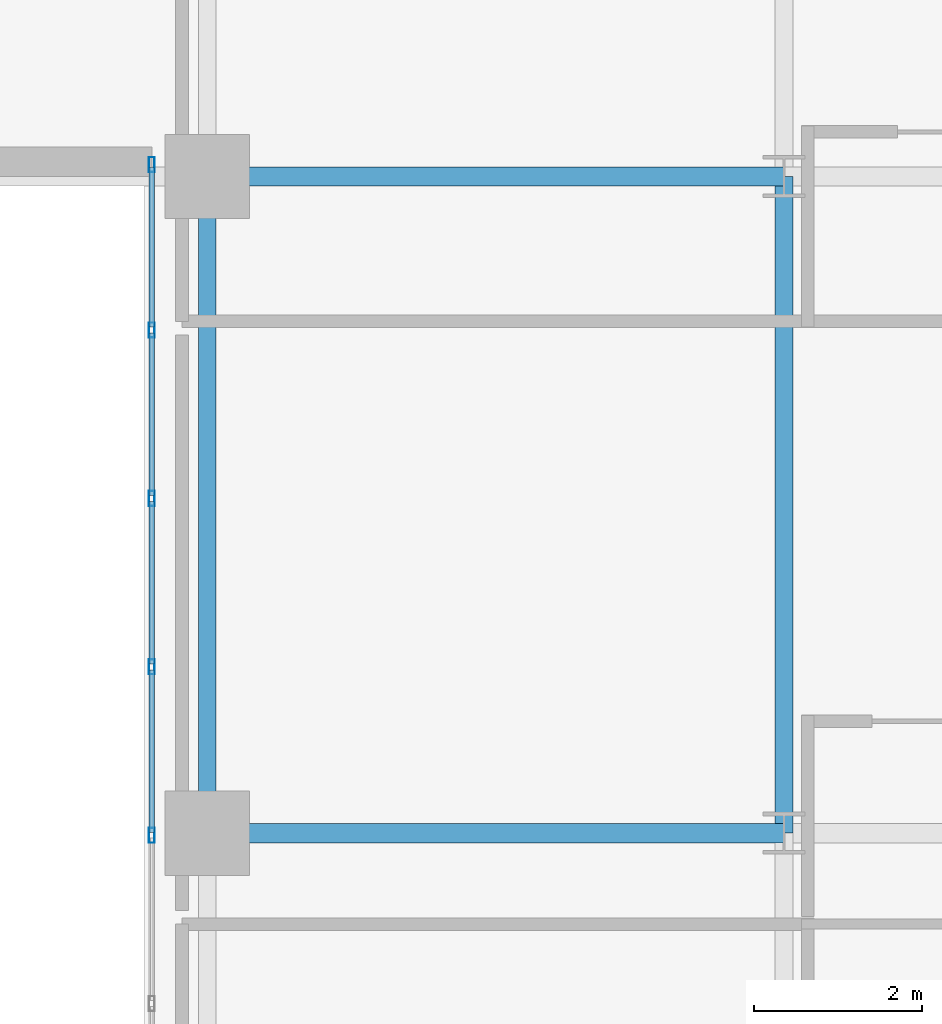
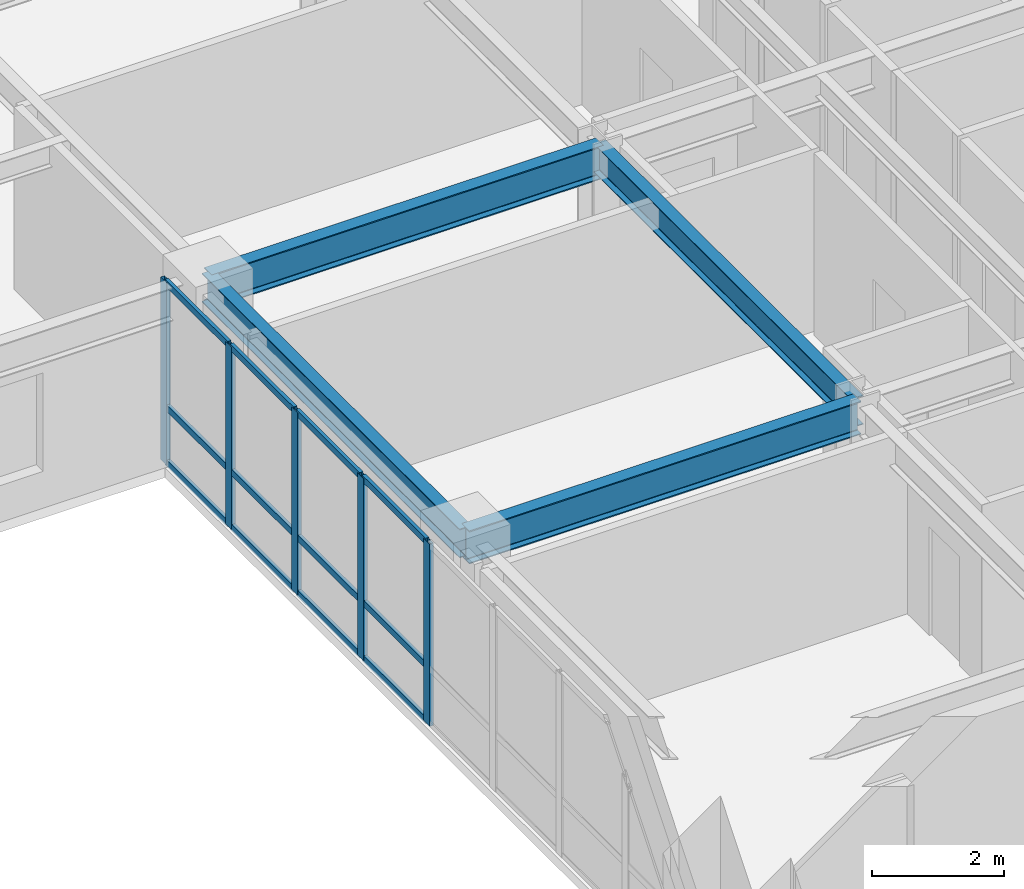
# One storey, part 7 of 17: 17 members, 4 beams, 1 element without a shape of its own.
"""IFC4 building model written with IfcOpenShell, lengths in metres."""

from ifc_helpers import new_model, si_unit, direction, frame, origin, origin_2d, place, context, subcontext, project, spatial, hollow_rectangle, i_section, extrude, source, transform, mapped, material, layer, layer_set, material_profile, profile_set, type_object, type_shapes, element, aggregate, save


model = new_model("IFC4")

# Units and contexts
model_context = context("Model", 3, precision=1e-05, world=origin(), true_north=direction((0.0, 1.0)))
body_context = subcontext(model_context, "Body", "Model", "MODEL_VIEW")
ifc_project = project(units=[si_unit("LENGTHUNIT", "METRE"), si_unit("AREAUNIT", "SQUARE_METRE"), si_unit("VOLUMEUNIT", "CUBIC_METRE"), si_unit("PLANEANGLEUNIT", "RADIAN"), si_unit("MASSUNIT", "GRAM", prefix="KILO")], contexts=[model_context])

# Site, building, storey
site_placement = place(None, origin())
site = spatial("IfcSite", under=ifc_project, at=site_placement, CompositionType="ELEMENT")
building_placement = place(site_placement, origin())
building = spatial("IfcBuilding", under=site, at=building_placement, Name="Tolvann Quenvar Hotel", CompositionType="ELEMENT")
storey_placement = place(building_placement, frame((0.0, 0.0, 35.550048828125)))
storey = spatial("IfcBuildingStorey", under=building, at=storey_placement, Name="L07", CompositionType="ELEMENT", Elevation=35.550048828125)

# Beams
ifc_material_1 = material(Name="Steel Grade 350", Category="steel")
ifc_material_profile_1 = material_profile(ifc_material_1, i_section(OverallWidth=0.22900390625, OverallDepth=0.612060546875, WebThickness=0.011962890625, FlangeThickness=0.01953125, FilletRadius=0.013916015625, at=origin_2d()), Name="610UB125")
ifc_profile_set_1 = profile_set([ifc_material_profile_1], Name="Steel Grade 350")
beam_type_1 = type_object("IfcBeamType", Name="BM_GIRD_610UB125", PredefinedType="BEAM", material=ifc_profile_set_1)
shared_shape_1 = source(origin(), body_context, "Body", "SweptSolid", [
    extrude(i_section(OverallWidth=0.22900390625, OverallDepth=0.612060546875, WebThickness=0.011962890625, FlangeThickness=0.01953125, FilletRadius=0.013916015625, at=origin_2d()), origin(), (0.0, 0.0, 1.0), 6.85009765625),
])
type_shapes(beam_type_1, [shared_shape_1])
for number, where, z_axis, x_axis, name in (
    (1, (34.949951171875, 8.199951171875, 3.06396484375), (1.0, 0.0, 0.0), (0.0, 1.0, 0.0), "BM-L07-EW-3-F3-H3"),
    (2, (34.949951171875, 16.0, 3.06396484375), (1.0, 0.0, 0.0), (0.0, 1.0, 0.0), "BM-L07-EW-4-F4-H4"),
):
    element("IfcBeam", number, at=place(storey_placement, frame(where, z_axis=z_axis, x_axis=x_axis)), inside=storey, type_object=beam_type_1, Name=name, PredefinedType="BEAM", context=body_context, shape_type="MappedRepresentation", body=[
        mapped(shared_shape_1, transform((0.0, 0.0, 0.0), x_axis=(1.0, 0.0, 0.0), y_axis=(0.0, 1.0, 0.0), z_axis=(0.0, 0.0, 1.0), scale=1.0)),
    ])
ifc_material_profile_2 = material_profile(ifc_material_1, i_section(OverallWidth=0.208984375, OverallDepth=0.532958984375, WebThickness=0.01025390625, FlangeThickness=0.015625, FilletRadius=0.013916015625, at=origin_2d()), Name="530UB92")
ifc_profile_set_2 = profile_set([ifc_material_profile_2], Name="Steel Grade 350")
beam_type_2 = type_object("IfcBeamType", Name="BM_GIRD_530UB92", PredefinedType="BEAM", material=ifc_profile_set_2)
shared_shape_2 = source(origin(), body_context, "Body", "SweptSolid", [
    extrude(i_section(OverallWidth=0.208984375, OverallDepth=0.532958984375, WebThickness=0.01025390625, FlangeThickness=0.015625, FilletRadius=0.013916015625, at=origin_2d()), origin(), (0.0, 0.0, 1.0), 7.800048828125),
])
type_shapes(beam_type_2, [shared_shape_2])
for number, where, z_axis, x_axis, name in (
    (3, (34.949951171875, 8.199951171875, 3.103515625), (0.0, 1.0, 0.0), (-1.0, 0.0, 0.0), "BM-L07-NS-F3-F4"),
    (4, (41.800048828125, 8.199951171875, 3.103515625), (0.0, 1.0, 0.0), (-1.0, 0.0, 0.0), "BM-L07-NS-H3-H4"),
):
    element("IfcBeam", number, at=place(storey_placement, frame(where, z_axis=z_axis, x_axis=x_axis)), inside=storey, type_object=beam_type_2, Name=name, PredefinedType="BEAM", context=body_context, shape_type="MappedRepresentation", body=[
        mapped(shared_shape_2, transform((0.0, 0.0, 0.0), x_axis=(1.0, 0.0, 0.0), y_axis=(0.0, 1.0, 0.0), z_axis=(0.0, 0.0, 1.0), scale=1.0)),
    ])

# Curtain wall, members
ifc_material_2 = material(Name="Thermally broken anodised architectural aluminium 6063-T6 and laminated low-E glass", Category="aluminium")
ifc_layer = layer(ifc_material_2, 0.179931640625)
ifc_layer_set = layer_set([ifc_layer], Name="Thermally broken anodised architectural aluminium 6063-T6 and laminated low-E glass")
curtain_wall_type = type_object("IfcCurtainWallType", Name="CW_SYS_SLOT_03", PredefinedType="USERDEFINED", material=ifc_layer_set)
curtain_wall_placement = place(storey_placement, origin())
curtain_wall = element("IfcCurtainWall", 5, at=curtain_wall_placement, inside=storey, type_object=curtain_wall_type, Name="Curtain Wall CW-SLOT-03 (CWR-L07-E07)", ObjectType="UNITISED CURTAIN WALL", PredefinedType="USERDEFINED")
ifc_material_3 = material(Name="Anodised architectural aluminium 6063-T6 framing", Category="aluminium")
ifc_material_profile_3 = material_profile(ifc_material_3, hollow_rectangle(XDim=0.06005859375, YDim=0.1201171875, WallThickness=0.00341796875, at=origin_2d()), Name="120x60x3.5RHS")
ifc_profile_set_3 = profile_set([ifc_material_profile_3], Name="Anodised architectural aluminium 6063-T6 framing")
member_type_1 = type_object("IfcMemberType", Name="CW_TRAN_120x60", PredefinedType="USERDEFINED", material=ifc_profile_set_3)
shared_shape_3 = source(origin(), body_context, "Body", "SweptSolid", [
    extrude(hollow_rectangle(XDim=0.06005859375, YDim=0.1201171875, WallThickness=0.00341796875, at=origin_2d()), origin(), (0.0, 0.0, 1.0), 1.929931640625),
])
member_1_placement = place(storey_placement, frame((34.2900390625, 14.139892578125, 0.030029296875), z_axis=(0.0, -1.0, 0.0), x_axis=(1.0, 0.0, 0.0)))
member_1 = element("IfcMember", 6, at=member_1_placement, type_object=member_type_1, Name="CW-SLOT-03 transom 2.1", ObjectType="TRANSOM", PredefinedType="USERDEFINED", context=body_context, shape_type="MappedRepresentation", body=[
    mapped(shared_shape_3, transform((0.0, 0.0, 0.0), x_axis=(1.0, 0.0, 0.0), y_axis=(0.0, 1.0, 0.0), z_axis=(0.0, 0.0, 1.0), scale=1.0)),
])
member_2_placement = place(storey_placement, frame((34.2900390625, 14.139892578125, 1.050048828125), z_axis=(0.0, -1.0, 0.0), x_axis=(1.0, 0.0, 0.0)))
member_2 = element("IfcMember", 7, at=member_2_placement, type_object=member_type_1, Name="CW-SLOT-03 transom 2.2", ObjectType="TRANSOM", PredefinedType="USERDEFINED", context=body_context, shape_type="MappedRepresentation", body=[
    mapped(shared_shape_3, transform((0.0, 0.0, 0.0), x_axis=(1.0, 0.0, 0.0), y_axis=(0.0, 1.0, 0.0), z_axis=(0.0, 0.0, 1.0), scale=1.0)),
])
member_3_placement = place(storey_placement, frame((34.2900390625, 14.139892578125, 3.33984375), z_axis=(0.0, -1.0, 0.0), x_axis=(1.0, 0.0, 0.0)))
member_3 = element("IfcMember", 8, at=member_3_placement, type_object=member_type_1, Name="CW-SLOT-03 transom 2.3", ObjectType="TRANSOM", PredefinedType="USERDEFINED", context=body_context, shape_type="MappedRepresentation", body=[
    mapped(shared_shape_3, transform((0.0, 0.0, 0.0), x_axis=(1.0, 0.0, 0.0), y_axis=(0.0, 1.0, 0.0), z_axis=(0.0, 0.0, 1.0), scale=1.0)),
])
member_4_placement = place(storey_placement, frame((34.2900390625, 12.139892578125, 0.030029296875), z_axis=(0.0, -1.0, 0.0), x_axis=(1.0, 0.0, 0.0)))
member_4 = element("IfcMember", 9, at=member_4_placement, type_object=member_type_1, Name="CW-SLOT-03 transom 3.1", ObjectType="TRANSOM", PredefinedType="USERDEFINED", context=body_context, shape_type="MappedRepresentation", body=[
    mapped(shared_shape_3, transform((0.0, 0.0, 0.0), x_axis=(1.0, 0.0, 0.0), y_axis=(0.0, 1.0, 0.0), z_axis=(0.0, 0.0, 1.0), scale=1.0)),
])
member_5_placement = place(storey_placement, frame((34.2900390625, 12.139892578125, 1.050048828125), z_axis=(0.0, -1.0, 0.0), x_axis=(1.0, 0.0, 0.0)))
member_5 = element("IfcMember", 10, at=member_5_placement, type_object=member_type_1, Name="CW-SLOT-03 transom 3.2", ObjectType="TRANSOM", PredefinedType="USERDEFINED", context=body_context, shape_type="MappedRepresentation", body=[
    mapped(shared_shape_3, transform((0.0, 0.0, 0.0), x_axis=(1.0, 0.0, 0.0), y_axis=(0.0, 1.0, 0.0), z_axis=(0.0, 0.0, 1.0), scale=1.0)),
])
member_6_placement = place(storey_placement, frame((34.2900390625, 12.139892578125, 3.33984375), z_axis=(0.0, -1.0, 0.0), x_axis=(1.0, 0.0, 0.0)))
member_6 = element("IfcMember", 11, at=member_6_placement, type_object=member_type_1, Name="CW-SLOT-03 transom 3.3", ObjectType="TRANSOM", PredefinedType="USERDEFINED", context=body_context, shape_type="MappedRepresentation", body=[
    mapped(shared_shape_3, transform((0.0, 0.0, 0.0), x_axis=(1.0, 0.0, 0.0), y_axis=(0.0, 1.0, 0.0), z_axis=(0.0, 0.0, 1.0), scale=1.0)),
])
member_7_placement = place(storey_placement, frame((34.2900390625, 10.139892578125, 0.030029296875), z_axis=(0.0, -1.0, 0.0), x_axis=(1.0, 0.0, 0.0)))
member_7 = element("IfcMember", 12, at=member_7_placement, type_object=member_type_1, Name="CW-SLOT-03 transom 4.1", ObjectType="TRANSOM", PredefinedType="USERDEFINED", context=body_context, shape_type="MappedRepresentation", body=[
    mapped(shared_shape_3, transform((0.0, 0.0, 0.0), x_axis=(1.0, 0.0, 0.0), y_axis=(0.0, 1.0, 0.0), z_axis=(0.0, 0.0, 1.0), scale=1.0)),
])
member_8_placement = place(storey_placement, frame((34.2900390625, 10.139892578125, 1.050048828125), z_axis=(0.0, -1.0, 0.0), x_axis=(1.0, 0.0, 0.0)))
member_8 = element("IfcMember", 13, at=member_8_placement, type_object=member_type_1, Name="CW-SLOT-03 transom 4.2", ObjectType="TRANSOM", PredefinedType="USERDEFINED", context=body_context, shape_type="MappedRepresentation", body=[
    mapped(shared_shape_3, transform((0.0, 0.0, 0.0), x_axis=(1.0, 0.0, 0.0), y_axis=(0.0, 1.0, 0.0), z_axis=(0.0, 0.0, 1.0), scale=1.0)),
])
member_9_placement = place(storey_placement, frame((34.2900390625, 10.139892578125, 3.33984375), z_axis=(0.0, -1.0, 0.0), x_axis=(1.0, 0.0, 0.0)))
member_9 = element("IfcMember", 14, at=member_9_placement, type_object=member_type_1, Name="CW-SLOT-03 transom 4.3", ObjectType="TRANSOM", PredefinedType="USERDEFINED", context=body_context, shape_type="MappedRepresentation", body=[
    mapped(shared_shape_3, transform((0.0, 0.0, 0.0), x_axis=(1.0, 0.0, 0.0), y_axis=(0.0, 1.0, 0.0), z_axis=(0.0, 0.0, 1.0), scale=1.0)),
])
shared_shape_4 = source(origin(), body_context, "Body", "SweptSolid", [
    extrude(hollow_rectangle(XDim=0.06005859375, YDim=0.1201171875, WallThickness=0.00341796875, at=origin_2d()), origin(), (0.0, 0.0, 1.0), 1.89501953125),
])
type_shapes(member_type_1, [shared_shape_3, shared_shape_4])
member_10_placement = place(storey_placement, frame((34.2900390625, 16.10498046875, 0.030029296875), z_axis=(0.0, -1.0, 0.0), x_axis=(1.0, 0.0, 0.0)))
member_10 = element("IfcMember", 15, at=member_10_placement, type_object=member_type_1, Name="CW-SLOT-03 transom 1.1", ObjectType="TRANSOM", PredefinedType="USERDEFINED", context=body_context, shape_type="MappedRepresentation", body=[
    mapped(shared_shape_4, transform((0.0, 0.0, 0.0), x_axis=(1.0, 0.0, 0.0), y_axis=(0.0, 1.0, 0.0), z_axis=(0.0, 0.0, 1.0), scale=1.0)),
])
member_11_placement = place(storey_placement, frame((34.2900390625, 16.10498046875, 1.050048828125), z_axis=(0.0, -1.0, 0.0), x_axis=(1.0, 0.0, 0.0)))
member_11 = element("IfcMember", 16, at=member_11_placement, type_object=member_type_1, Name="CW-SLOT-03 transom 1.2", ObjectType="TRANSOM", PredefinedType="USERDEFINED", context=body_context, shape_type="MappedRepresentation", body=[
    mapped(shared_shape_4, transform((0.0, 0.0, 0.0), x_axis=(1.0, 0.0, 0.0), y_axis=(0.0, 1.0, 0.0), z_axis=(0.0, 0.0, 1.0), scale=1.0)),
])
member_12_placement = place(storey_placement, frame((34.2900390625, 16.10498046875, 3.33984375), z_axis=(0.0, -1.0, 0.0), x_axis=(1.0, 0.0, 0.0)))
member_12 = element("IfcMember", 17, at=member_12_placement, type_object=member_type_1, Name="CW-SLOT-03 transom 1.3", ObjectType="TRANSOM", PredefinedType="USERDEFINED", context=body_context, shape_type="MappedRepresentation", body=[
    mapped(shared_shape_4, transform((0.0, 0.0, 0.0), x_axis=(1.0, 0.0, 0.0), y_axis=(0.0, 1.0, 0.0), z_axis=(0.0, 0.0, 1.0), scale=1.0)),
])
ifc_material_profile_4 = material_profile(ifc_material_3, hollow_rectangle(XDim=0.070068359375, YDim=0.179931640625, WallThickness=0.00390625, at=origin_2d()), Name="180x70x4RHS")
ifc_profile_set_4 = profile_set([ifc_material_profile_4], Name="Anodised architectural aluminium 6063-T6 framing")
member_type_2 = type_object("IfcMemberType", Name="CW_MULL_180x70", PredefinedType="MULLION", material=ifc_profile_set_4)
shared_shape_5 = source(origin(), body_context, "Body", "SweptSolid", [
    extrude(hollow_rectangle(XDim=0.070068359375, YDim=0.179931640625, WallThickness=0.00390625, at=origin_2d()), origin(), (0.0, 0.0, 1.0), 3.369873046875),
])
type_shapes(member_type_2, [shared_shape_5])
member_13_placement = place(storey_placement, frame((34.2900390625, 16.139892578125, 0.0), z_axis=(0.0, 0.0, 1.0), x_axis=(1.0, 0.0, 0.0)))
member_13 = element("IfcMember", 18, at=member_13_placement, type_object=member_type_2, Name="CW-SLOT-03 mullion 1", PredefinedType="MULLION", context=body_context, shape_type="MappedRepresentation", body=[
    mapped(shared_shape_5, transform((0.0, 0.0, 0.0), x_axis=(1.0, 0.0, 0.0), y_axis=(0.0, 1.0, 0.0), z_axis=(0.0, 0.0, 1.0), scale=1.0)),
])
member_14_placement = place(storey_placement, frame((34.2900390625, 14.175048828125, 0.0), z_axis=(0.0, 0.0, 1.0), x_axis=(1.0, 0.0, 0.0)))
member_14 = element("IfcMember", 19, at=member_14_placement, type_object=member_type_2, Name="CW-SLOT-03 mullion 2", PredefinedType="MULLION", context=body_context, shape_type="MappedRepresentation", body=[
    mapped(shared_shape_5, transform((0.0, 0.0, 0.0), x_axis=(1.0, 0.0, 0.0), y_axis=(0.0, 1.0, 0.0), z_axis=(0.0, 0.0, 1.0), scale=1.0)),
])
member_15_placement = place(storey_placement, frame((34.2900390625, 12.175048828125, 0.0), z_axis=(0.0, 0.0, 1.0), x_axis=(1.0, 0.0, 0.0)))
member_15 = element("IfcMember", 20, at=member_15_placement, type_object=member_type_2, Name="CW-SLOT-03 mullion 3", PredefinedType="MULLION", context=body_context, shape_type="MappedRepresentation", body=[
    mapped(shared_shape_5, transform((0.0, 0.0, 0.0), x_axis=(1.0, 0.0, 0.0), y_axis=(0.0, 1.0, 0.0), z_axis=(0.0, 0.0, 1.0), scale=1.0)),
])
member_16_placement = place(storey_placement, frame((34.2900390625, 10.175048828125, 0.0), z_axis=(0.0, 0.0, 1.0), x_axis=(1.0, 0.0, 0.0)))
member_16 = element("IfcMember", 21, at=member_16_placement, type_object=member_type_2, Name="CW-SLOT-03 mullion 4", PredefinedType="MULLION", context=body_context, shape_type="MappedRepresentation", body=[
    mapped(shared_shape_5, transform((0.0, 0.0, 0.0), x_axis=(1.0, 0.0, 0.0), y_axis=(0.0, 1.0, 0.0), z_axis=(0.0, 0.0, 1.0), scale=1.0)),
])
member_17_placement = place(storey_placement, frame((34.2900390625, 8.175048828125, 0.0), z_axis=(0.0, 0.0, 1.0), x_axis=(1.0, 0.0, 0.0)))
member_17 = element("IfcMember", 22, at=member_17_placement, type_object=member_type_2, Name="CW-SLOT-03 mullion 5", PredefinedType="MULLION", context=body_context, shape_type="MappedRepresentation", body=[
    mapped(shared_shape_5, transform((0.0, 0.0, 0.0), x_axis=(1.0, 0.0, 0.0), y_axis=(0.0, 1.0, 0.0), z_axis=(0.0, 0.0, 1.0), scale=1.0)),
])
aggregate(curtain_wall, [member_13, member_14, member_15, member_16, member_17, member_10, member_11, member_12, member_1, member_2, member_3, member_4, member_5, member_6, member_7, member_8, member_9])

save(model, "model.ifc")
